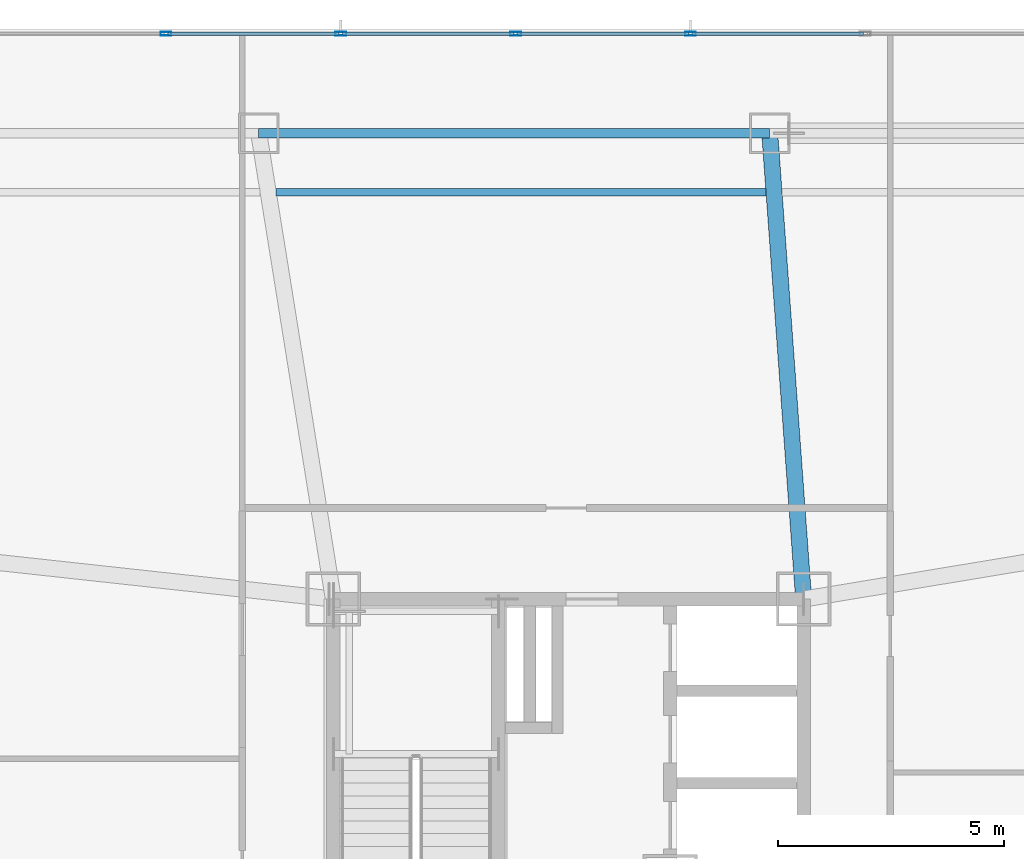
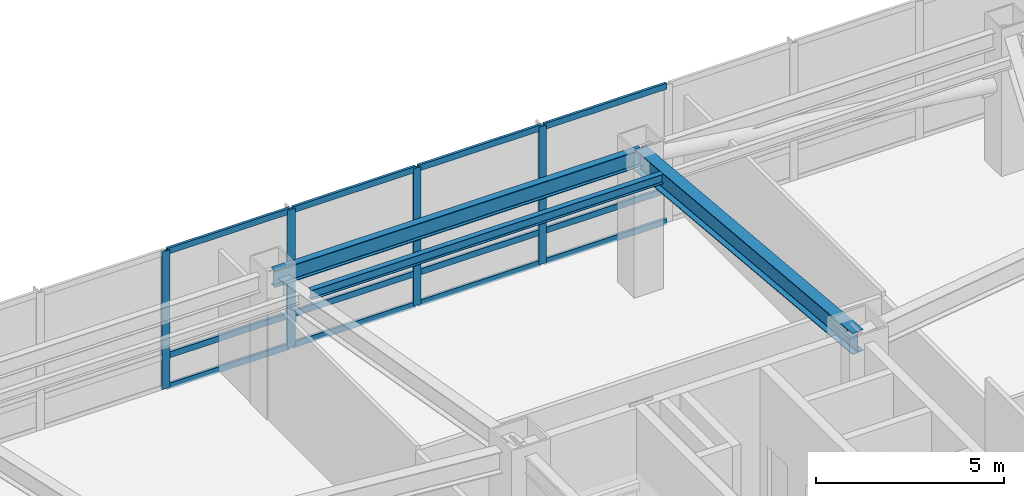
# One storey, part 3 of 16: 16 members, 3 beams, 1 element without a shape of its own.
"""IFC4 building model written with IfcOpenShell, lengths in metres."""

from ifc_helpers import new_model, si_unit, direction, frame, origin, origin_2d, place, context, subcontext, project, spatial, hollow_rectangle, i_section, extrude, material, material_profile, profile_set, type_object, element, aggregate, save


model = new_model("IFC4")

# Units and contexts
model_context = context("Model", 3, precision=1e-05, world=origin(), true_north=direction((0.0, 1.0)))
body_context = subcontext(model_context, "Body", "Model", "MODEL_VIEW")
ifc_project = project(units=[si_unit("LENGTHUNIT", "METRE"), si_unit("AREAUNIT", "SQUARE_METRE"), si_unit("VOLUMEUNIT", "CUBIC_METRE"), si_unit("PLANEANGLEUNIT", "RADIAN"), si_unit("MASSUNIT", "GRAM", prefix="KILO")], contexts=[model_context])

# Site, building, storey
site_placement = place(None, origin())
site = spatial("IfcSite", under=ifc_project, at=site_placement, CompositionType="ELEMENT")
building_placement = place(site_placement, origin())
building = spatial("IfcBuilding", under=site, at=building_placement, Name="Khamvora Tower", CompositionType="ELEMENT")
storey_placement = place(building_placement, frame((0.0, 0.0, 145.699951171875)))
storey = spatial("IfcBuildingStorey", under=building, at=storey_placement, Name="L37", CompositionType="ELEMENT", Elevation=145.699951171875)

# Beams
ifc_material_1 = material(Name="Steel S355", Category="steel")
ifc_material_profile_1 = material_profile(ifc_material_1, i_section(OverallWidth=0.166015625, OverallDepth=0.31298828125, WebThickness=0.007080078125, FlangeThickness=0.010986328125, FilletRadius=0.010009765625, at=origin_2d()), Name="W310x45")
ifc_profile_set_1 = profile_set([ifc_material_profile_1], Name="Steel S355")
beam_type_1 = type_object("IfcBeamType", Name="BM-JS-W310x45", PredefinedType="JOIST", material=ifc_profile_set_1)
beam_1_placement = place(storey_placement, frame((27.73291015625, 46.0, 4.323974609375), z_axis=(1.0, 0.0, 0.0), x_axis=(0.0, 1.0, 0.0)))
element("IfcBeam", 1, at=beam_1_placement, inside=storey, type_object=beam_type_1, Name="L37 secondary floor joist 07", PredefinedType="JOIST", context=body_context, shape_type="SweptSolid", body=[
    extrude(i_section(OverallWidth=0.166015625, OverallDepth=0.31298828125, WebThickness=0.007080078125, FlangeThickness=0.010986328125, FilletRadius=0.010009765625, at=origin_2d()), origin(), (0.0, 0.0, 1.0), 10.839111328125),
])
ifc_material_profile_2 = material_profile(ifc_material_1, i_section(OverallWidth=0.35498046875, OverallDepth=0.695068359375, WebThickness=0.014892578125, FlangeThickness=0.02490234375, FilletRadius=0.01611328125, at=origin_2d()), Name="W690x217")
ifc_profile_set_2 = profile_set([ifc_material_profile_2], Name="Steel S355")
beam_type_2 = type_object("IfcBeamType", Name="BM-PG-W690x217", PredefinedType="BEAM", material=ifc_profile_set_2)
beam_2_placement = place(storey_placement, frame((39.39990234375, 37.0, 4.133056640625), z_axis=(-0.07262291808, 0.997359469685, 0.0), x_axis=(-0.997359469685, -0.07262291808, 0.0)))
element("IfcBeam", 2, at=beam_2_placement, inside=storey, type_object=beam_type_2, Name="L37 primary floor girder N3", PredefinedType="BEAM", context=body_context, shape_type="SweptSolid", body=[
    extrude(i_section(OverallWidth=0.35498046875, OverallDepth=0.695068359375, WebThickness=0.014892578125, FlangeThickness=0.02490234375, FilletRadius=0.01611328125, at=origin_2d()), origin(), (0.0, 0.0, 1.0), 10.327392578125),
])
ifc_material_profile_3 = material_profile(ifc_material_1, i_section(OverallWidth=0.2119140625, OverallDepth=0.5439453125, WebThickness=0.012939453125, FlangeThickness=0.02099609375, FilletRadius=0.013916015625, at=origin_2d()), Name="W530x123")
ifc_profile_set_3 = profile_set([ifc_material_profile_3], Name="Steel S355")
beam_type_3 = type_object("IfcBeamType", Name="BM-SP-W530x123", PredefinedType="SPANDREL", material=ifc_profile_set_3)
beam_3_placement = place(storey_placement, frame((38.64990234375, 47.300048828125, 4.2080078125), z_axis=(-1.0, 0.0, 0.0), x_axis=(0.0, -1.0, 0.0)))
element("IfcBeam", 3, at=beam_3_placement, inside=storey, type_object=beam_type_3, Name="L37 perimeter spandrel beam N3-N2", PredefinedType="SPANDREL", context=body_context, shape_type="SweptSolid", body=[
    extrude(i_section(OverallWidth=0.2119140625, OverallDepth=0.5439453125, WebThickness=0.012939453125, FlangeThickness=0.02099609375, FilletRadius=0.013916015625, at=origin_2d()), origin(), (0.0, 0.0, 1.0), 11.2998046875),
])

# Curtain wall, members
ifc_material_2 = material(Name="Anodised Aluminium 6063-T6", Category="aluminium")
curtain_wall_type = type_object("IfcCurtainWallType", Name="CW-SYS-06", PredefinedType="NOTDEFINED", material=ifc_material_2)
curtain_wall_placement = place(storey_placement, origin())
curtain_wall = element("IfcCurtainWall", 4, at=curtain_wall_placement, inside=storey, type_object=curtain_wall_type, Name="L37 stick curtain wall 07.1", PredefinedType="NOTDEFINED")
ifc_material_profile_4 = material_profile(ifc_material_2, hollow_rectangle(XDim=0.080078125, YDim=0.239990234375, WallThickness=0.0048828125, at=origin_2d()), Name="MUL80x240x5")
ifc_profile_set_4 = profile_set([ifc_material_profile_4], Name="Anodised Aluminium 6063-T6")
member_type_1 = type_object("IfcMemberType", Name="CW-SYS-06-MUL", PredefinedType="MULLION", material=ifc_profile_set_4)
member_1_placement = place(storey_placement, frame((25.299072265625, 49.5, 0.0), z_axis=(0.0, 0.0, 1.0), x_axis=(0.0, 1.0, 0.0)))
member_1 = element("IfcMember", 5, at=member_1_placement, type_object=member_type_1, Name="CW-06 mullion 4", PredefinedType="MULLION", context=body_context, shape_type="SweptSolid", body=[
    extrude(hollow_rectangle(XDim=0.080078125, YDim=0.239990234375, WallThickness=0.0048828125, at=origin_2d()), origin(), (0.0, 0.0, 1.0), 4.47998046875),
])
member_2_placement = place(storey_placement, frame((29.164794921875, 49.5, 0.0), z_axis=(0.0, 0.0, 1.0), x_axis=(0.0, 1.0, 0.0)))
member_2 = element("IfcMember", 6, at=member_2_placement, type_object=member_type_1, Name="CW-06 mullion 5", PredefinedType="MULLION", context=body_context, shape_type="SweptSolid", body=[
    extrude(hollow_rectangle(XDim=0.080078125, YDim=0.239990234375, WallThickness=0.0048828125, at=origin_2d()), origin(), (0.0, 0.0, 1.0), 4.47998046875),
])
member_3_placement = place(storey_placement, frame((33.030517578125, 49.5, 0.0), z_axis=(0.0, 0.0, 1.0), x_axis=(0.0, 1.0, 0.0)))
member_3 = element("IfcMember", 7, at=member_3_placement, type_object=member_type_1, Name="CW-06 mullion 6", PredefinedType="MULLION", context=body_context, shape_type="SweptSolid", body=[
    extrude(hollow_rectangle(XDim=0.080078125, YDim=0.239990234375, WallThickness=0.0048828125, at=origin_2d()), origin(), (0.0, 0.0, 1.0), 4.47998046875),
])
member_4_placement = place(storey_placement, frame((36.896240234375, 49.5, 0.0), z_axis=(0.0, 0.0, 1.0), x_axis=(0.0, 1.0, 0.0)))
member_4 = element("IfcMember", 8, at=member_4_placement, type_object=member_type_1, Name="CW-06 mullion 7", PredefinedType="MULLION", context=body_context, shape_type="SweptSolid", body=[
    extrude(hollow_rectangle(XDim=0.080078125, YDim=0.239990234375, WallThickness=0.0048828125, at=origin_2d()), origin(), (0.0, 0.0, 1.0), 4.47998046875),
])
ifc_material_profile_5 = material_profile(ifc_material_2, hollow_rectangle(XDim=0.080078125, YDim=0.195068359375, WallThickness=0.0048828125, at=origin_2d()), Name="TRN80x195x5")
ifc_profile_set_5 = profile_set([ifc_material_profile_5], Name="Anodised Aluminium 6063-T6")
member_type_2 = type_object("IfcMemberType", Name="CW-SYS-06-TRN", PredefinedType="USERDEFINED", material=ifc_profile_set_5)
member_5_placement = place(storey_placement, frame((25.339111328125, 49.5, 0.0400390625), z_axis=(1.0, 0.0, 0.0), x_axis=(0.0, 1.0, 0.0)))
member_5 = element("IfcMember", 9, at=member_5_placement, type_object=member_type_2, Name="CW-06 transom 4.1", ObjectType="TRANSOM", PredefinedType="USERDEFINED", context=body_context, shape_type="SweptSolid", body=[
    extrude(hollow_rectangle(XDim=0.080078125, YDim=0.195068359375, WallThickness=0.0048828125, at=origin_2d()), origin(), (0.0, 0.0, 1.0), 3.78564453125),
])
member_6_placement = place(storey_placement, frame((25.339111328125, 49.5, 1.050048828125), z_axis=(1.0, 0.0, 0.0), x_axis=(0.0, 1.0, 0.0)))
member_6 = element("IfcMember", 10, at=member_6_placement, type_object=member_type_2, Name="CW-06 transom 4.2", ObjectType="TRANSOM", PredefinedType="USERDEFINED", context=body_context, shape_type="SweptSolid", body=[
    extrude(hollow_rectangle(XDim=0.080078125, YDim=0.195068359375, WallThickness=0.0048828125, at=origin_2d()), origin(), (0.0, 0.0, 1.0), 3.78564453125),
])
member_7_placement = place(storey_placement, frame((25.339111328125, 49.5, 4.43994140625), z_axis=(1.0, 0.0, 0.0), x_axis=(0.0, 1.0, 0.0)))
member_7 = element("IfcMember", 11, at=member_7_placement, type_object=member_type_2, Name="CW-06 transom 4.3", ObjectType="TRANSOM", PredefinedType="USERDEFINED", context=body_context, shape_type="SweptSolid", body=[
    extrude(hollow_rectangle(XDim=0.080078125, YDim=0.195068359375, WallThickness=0.0048828125, at=origin_2d()), origin(), (0.0, 0.0, 1.0), 3.78564453125),
])
member_8_placement = place(storey_placement, frame((29.204833984375, 49.5, 0.0400390625), z_axis=(1.0, 0.0, 0.0), x_axis=(0.0, 1.0, 0.0)))
member_8 = element("IfcMember", 12, at=member_8_placement, type_object=member_type_2, Name="CW-06 transom 5.1", ObjectType="TRANSOM", PredefinedType="USERDEFINED", context=body_context, shape_type="SweptSolid", body=[
    extrude(hollow_rectangle(XDim=0.080078125, YDim=0.195068359375, WallThickness=0.0048828125, at=origin_2d()), origin(), (0.0, 0.0, 1.0), 3.78564453125),
])
member_9_placement = place(storey_placement, frame((29.204833984375, 49.5, 1.050048828125), z_axis=(1.0, 0.0, 0.0), x_axis=(0.0, 1.0, 0.0)))
member_9 = element("IfcMember", 13, at=member_9_placement, type_object=member_type_2, Name="CW-06 transom 5.2", ObjectType="TRANSOM", PredefinedType="USERDEFINED", context=body_context, shape_type="SweptSolid", body=[
    extrude(hollow_rectangle(XDim=0.080078125, YDim=0.195068359375, WallThickness=0.0048828125, at=origin_2d()), origin(), (0.0, 0.0, 1.0), 3.78564453125),
])
member_10_placement = place(storey_placement, frame((29.204833984375, 49.5, 4.43994140625), z_axis=(1.0, 0.0, 0.0), x_axis=(0.0, 1.0, 0.0)))
member_10 = element("IfcMember", 14, at=member_10_placement, type_object=member_type_2, Name="CW-06 transom 5.3", ObjectType="TRANSOM", PredefinedType="USERDEFINED", context=body_context, shape_type="SweptSolid", body=[
    extrude(hollow_rectangle(XDim=0.080078125, YDim=0.195068359375, WallThickness=0.0048828125, at=origin_2d()), origin(), (0.0, 0.0, 1.0), 3.78564453125),
])
member_11_placement = place(storey_placement, frame((33.070556640625, 49.5, 0.0400390625), z_axis=(1.0, 0.0, 0.0), x_axis=(0.0, 1.0, 0.0)))
member_11 = element("IfcMember", 15, at=member_11_placement, type_object=member_type_2, Name="CW-06 transom 6.1", ObjectType="TRANSOM", PredefinedType="USERDEFINED", context=body_context, shape_type="SweptSolid", body=[
    extrude(hollow_rectangle(XDim=0.080078125, YDim=0.195068359375, WallThickness=0.0048828125, at=origin_2d()), origin(), (0.0, 0.0, 1.0), 3.78564453125),
])
member_12_placement = place(storey_placement, frame((33.070556640625, 49.5, 1.050048828125), z_axis=(1.0, 0.0, 0.0), x_axis=(0.0, 1.0, 0.0)))
member_12 = element("IfcMember", 16, at=member_12_placement, type_object=member_type_2, Name="CW-06 transom 6.2", ObjectType="TRANSOM", PredefinedType="USERDEFINED", context=body_context, shape_type="SweptSolid", body=[
    extrude(hollow_rectangle(XDim=0.080078125, YDim=0.195068359375, WallThickness=0.0048828125, at=origin_2d()), origin(), (0.0, 0.0, 1.0), 3.78564453125),
])
member_13_placement = place(storey_placement, frame((33.070556640625, 49.5, 4.43994140625), z_axis=(1.0, 0.0, 0.0), x_axis=(0.0, 1.0, 0.0)))
member_13 = element("IfcMember", 17, at=member_13_placement, type_object=member_type_2, Name="CW-06 transom 6.3", ObjectType="TRANSOM", PredefinedType="USERDEFINED", context=body_context, shape_type="SweptSolid", body=[
    extrude(hollow_rectangle(XDim=0.080078125, YDim=0.195068359375, WallThickness=0.0048828125, at=origin_2d()), origin(), (0.0, 0.0, 1.0), 3.78564453125),
])
member_14_placement = place(storey_placement, frame((36.936279296875, 49.5, 0.0400390625), z_axis=(1.0, 0.0, 0.0), x_axis=(0.0, 1.0, 0.0)))
member_14 = element("IfcMember", 18, at=member_14_placement, type_object=member_type_2, Name="CW-06 transom 7.1", ObjectType="TRANSOM", PredefinedType="USERDEFINED", context=body_context, shape_type="SweptSolid", body=[
    extrude(hollow_rectangle(XDim=0.080078125, YDim=0.195068359375, WallThickness=0.0048828125, at=origin_2d()), origin(), (0.0, 0.0, 1.0), 3.78564453125),
])
member_15_placement = place(storey_placement, frame((36.936279296875, 49.5, 1.050048828125), z_axis=(1.0, 0.0, 0.0), x_axis=(0.0, 1.0, 0.0)))
member_15 = element("IfcMember", 19, at=member_15_placement, type_object=member_type_2, Name="CW-06 transom 7.2", ObjectType="TRANSOM", PredefinedType="USERDEFINED", context=body_context, shape_type="SweptSolid", body=[
    extrude(hollow_rectangle(XDim=0.080078125, YDim=0.195068359375, WallThickness=0.0048828125, at=origin_2d()), origin(), (0.0, 0.0, 1.0), 3.78564453125),
])
member_16_placement = place(storey_placement, frame((36.936279296875, 49.5, 4.43994140625), z_axis=(1.0, 0.0, 0.0), x_axis=(0.0, 1.0, 0.0)))
member_16 = element("IfcMember", 20, at=member_16_placement, type_object=member_type_2, Name="CW-06 transom 7.3", ObjectType="TRANSOM", PredefinedType="USERDEFINED", context=body_context, shape_type="SweptSolid", body=[
    extrude(hollow_rectangle(XDim=0.080078125, YDim=0.195068359375, WallThickness=0.0048828125, at=origin_2d()), origin(), (0.0, 0.0, 1.0), 3.78564453125),
])
aggregate(curtain_wall, [member_1, member_2, member_3, member_4, member_5, member_6, member_7, member_8, member_9, member_10, member_11, member_12, member_13, member_14, member_15, member_16])

save(model, "model.ifc")
